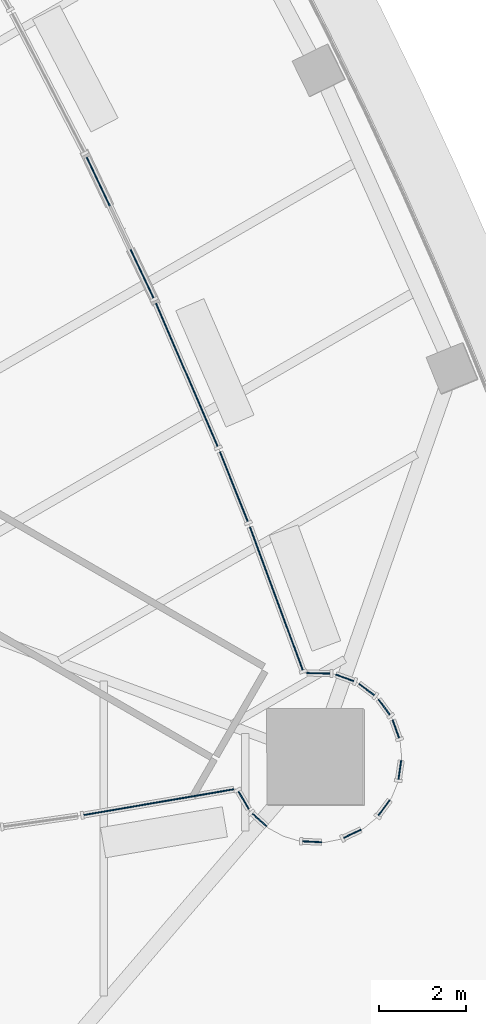
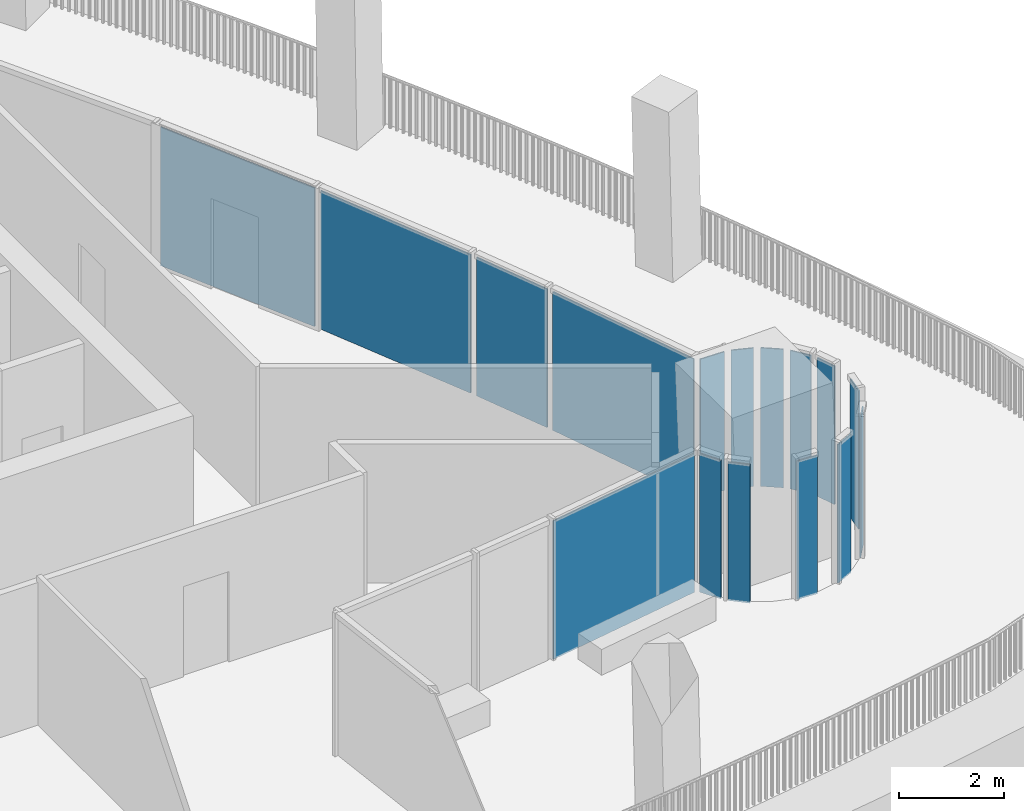
# One storey, part 9 of 20: 16 plates, 16 elements without a shape of their own.
"""IFC4 building model written with IfcOpenShell, lengths in metres."""

from ifc_helpers import new_model, si_unit, direction, frame, origin, origin_2d, place, context, subcontext, project, spatial, rectangle, extrude, material, layer, layer_set, type_object, element, aggregate, save


model = new_model("IFC4")

# Units and contexts
model_context = context("Model", 3, precision=1e-05, world=origin(), true_north=direction((0.0, 1.0)))
body_context = subcontext(model_context, "Body", "Model", "MODEL_VIEW")
ifc_project = project(units=[si_unit("LENGTHUNIT", "METRE"), si_unit("AREAUNIT", "SQUARE_METRE"), si_unit("VOLUMEUNIT", "CUBIC_METRE"), si_unit("PLANEANGLEUNIT", "RADIAN"), si_unit("MASSUNIT", "GRAM", prefix="KILO")], contexts=[model_context])

# Site, building, storey
site_placement = place(None, origin())
site = spatial("IfcSite", under=ifc_project, at=site_placement, CompositionType="ELEMENT")
building_placement = place(site_placement, origin())
building = spatial("IfcBuilding", under=site, at=building_placement, Name="Sierra Prisma Convention Tower", CompositionType="ELEMENT")
storey_placement = place(building_placement, frame((0.0, 0.0, 275.0)))
storey = spatial("IfcBuildingStorey", under=building, at=storey_placement, Name="L62", CompositionType="ELEMENT", Elevation=275.0)

# Curtain wall, plate
ifc_material_1 = material(Name="Aluminium and glass curtain wall", Category="aluminium")
ifc_layer_1 = layer(ifc_material_1, 0.179931640625)
ifc_layer_set_1 = layer_set([ifc_layer_1], Name="CW-6 Terrace recess curtain wall")
curtain_wall_type = type_object("IfcCurtainWallType", Name="CW-6 Terrace recess curtain wall", PredefinedType="NOTDEFINED", material=ifc_layer_set_1)
curtain_wall_1_placement = place(storey_placement, origin())
curtain_wall_1 = element("IfcCurtainWall", 1, at=curtain_wall_1_placement, inside=storey, type_object=curtain_wall_type, Name="CW-6 R3 L62", PredefinedType="NOTDEFINED")
ifc_material_2 = material(Name="Tinted glass bronze-grey IGU", Category="glass")
ifc_layer_2 = layer(ifc_material_2, 0.028076171875)
ifc_layer_set_2 = layer_set([ifc_layer_2], Name="CW-6 glass panel")
plate_type = type_object("IfcPlateType", Name="CW-6 glass panel", PredefinedType="CURTAIN_PANEL", material=ifc_layer_set_2)
plate_1_placement = place(storey_placement, frame((17.461669921875, -13.187744140625, 0.0), z_axis=(0.0, 0.0, 1.0), x_axis=(0.985592101125, 0.169139617475, 0.0)))
plate_1 = element("IfcPlate", 2, at=plate_1_placement, type_object=plate_type, Name="CW-6 panel R3.1", PredefinedType="CURTAIN_PANEL", context=body_context, shape_type="SweptSolid", body=[
    extrude(rectangle(XDim=3.487060546875, YDim=0.028076171875, at=origin_2d()), origin(), (0.0, 0.0, 1.0), 3.219970703125),
])
aggregate(curtain_wall_1, [plate_1])

curtain_wall_2_placement = place(storey_placement, origin())
curtain_wall_2 = element("IfcCurtainWall", 3, at=curtain_wall_2_placement, inside=storey, type_object=curtain_wall_type, Name="CW-6 R4 L62", PredefinedType="NOTDEFINED")
plate_2_placement = place(storey_placement, frame((19.402099609375, -13.14208984375, 0.0), z_axis=(0.0, 0.0, 1.0), x_axis=(0.50517151152, -0.863018970793, 0.0)))
plate_2 = element("IfcPlate", 4, at=plate_2_placement, type_object=plate_type, Name="CW-6 panel R4.1", PredefinedType="CURTAIN_PANEL", context=body_context, shape_type="SweptSolid", body=[
    extrude(rectangle(XDim=0.465576171875, YDim=0.028076171875, at=origin_2d()), origin(), (0.0, 0.0, 1.0), 3.219970703125),
])
aggregate(curtain_wall_2, [plate_2])

curtain_wall_3_placement = place(storey_placement, origin())
curtain_wall_3 = element("IfcCurtainWall", 5, at=curtain_wall_3_placement, inside=storey, type_object=curtain_wall_type, Name="CW-6 R5 L62", PredefinedType="NOTDEFINED")
plate_3_placement = place(storey_placement, frame((19.767578125, -13.59619140625, 0.0), z_axis=(0.0, 0.0, 1.0), x_axis=(0.740951125355, -0.671558954847, 0.0)))
plate_3 = element("IfcPlate", 6, at=plate_3_placement, type_object=plate_type, Name="CW-6 panel R5.1", PredefinedType="CURTAIN_PANEL", context=body_context, shape_type="SweptSolid", body=[
    extrude(rectangle(XDim=0.433837890625, YDim=0.028076171875, at=origin_2d()), origin(), (0.0, 0.0, 1.0), 3.219970703125),
])
aggregate(curtain_wall_3, [plate_3])

curtain_wall_4_placement = place(storey_placement, origin())
curtain_wall_4 = element("IfcCurtainWall", 7, at=curtain_wall_4_placement, inside=storey, type_object=curtain_wall_type, Name="CW-6 R8 L62", PredefinedType="NOTDEFINED")
plate_4_placement = place(storey_placement, frame((20.9716796875, -14.094970703125, 0.0), z_axis=(0.0, 0.0, 1.0), x_axis=(0.998795456205, -0.049067674327, 0.0)))
plate_4 = element("IfcPlate", 8, at=plate_4_placement, type_object=plate_type, Name="CW-6 panel R8.1", PredefinedType="CURTAIN_PANEL", context=body_context, shape_type="SweptSolid", body=[
    extrude(rectangle(XDim=0.433837890625, YDim=0.028076171875, at=origin_2d()), origin(), (0.0, 0.0, 1.0), 3.219970703125),
])
aggregate(curtain_wall_4, [plate_4])

curtain_wall_5_placement = place(storey_placement, origin())
curtain_wall_5 = element("IfcCurtainWall", 9, at=curtain_wall_5_placement, inside=storey, type_object=curtain_wall_type, Name="CW-6 R10 L62", PredefinedType="NOTDEFINED")
plate_5_placement = place(storey_placement, frame((21.893798828125, -13.91162109375, 0.0), z_axis=(0.0, 0.0, 1.0), x_axis=(0.903989293123, 0.42755509343, 0.0)))
plate_5 = element("IfcPlate", 10, at=plate_5_placement, type_object=plate_type, Name="CW-6 panel R10.1", PredefinedType="CURTAIN_PANEL", context=body_context, shape_type="SweptSolid", body=[
    extrude(rectangle(XDim=0.433837890625, YDim=0.028076171875, at=origin_2d()), origin(), (0.0, 0.0, 1.0), 3.219970703125),
])
aggregate(curtain_wall_5, [plate_5])

curtain_wall_6_placement = place(storey_placement, origin())
curtain_wall_6 = element("IfcCurtainWall", 11, at=curtain_wall_6_placement, inside=storey, type_object=curtain_wall_type, Name="CW-6 R12 L62", PredefinedType="NOTDEFINED")
plate_6_placement = place(storey_placement, frame((22.620361328125, -13.315185546875, 0.0), z_axis=(0.0, 0.0, 1.0), x_axis=(0.595699304492, 0.803207531481, 0.0)))
plate_6 = element("IfcPlate", 12, at=plate_6_placement, type_object=plate_type, Name="CW-6 panel R12.1", PredefinedType="CURTAIN_PANEL", context=body_context, shape_type="SweptSolid", body=[
    extrude(rectangle(XDim=0.433837890625, YDim=0.028076171875, at=origin_2d()), origin(), (0.0, 0.0, 1.0), 3.219970703125),
])
aggregate(curtain_wall_6, [plate_6])

curtain_wall_7_placement = place(storey_placement, origin())
curtain_wall_7 = element("IfcCurtainWall", 13, at=curtain_wall_7_placement, inside=storey, type_object=curtain_wall_type, Name="CW-6 R14 L62", PredefinedType="NOTDEFINED")
plate_7_placement = place(storey_placement, frame((22.980224609375, -12.44677734375, 0.0), z_axis=(0.0, 0.0, 1.0), x_axis=(0.146730474455, 0.989176509965, 0.0)))
plate_7 = element("IfcPlate", 14, at=plate_7_placement, type_object=plate_type, Name="CW-6 panel R14.1", PredefinedType="CURTAIN_PANEL", context=body_context, shape_type="SweptSolid", body=[
    extrude(rectangle(XDim=0.433837890625, YDim=0.028076171875, at=origin_2d()), origin(), (0.0, 0.0, 1.0), 3.219970703125),
])
aggregate(curtain_wall_7, [plate_7])

curtain_wall_8_placement = place(storey_placement, origin())
curtain_wall_8 = element("IfcCurtainWall", 15, at=curtain_wall_8_placement, inside=storey, type_object=curtain_wall_type, Name="CW-6 R16 L62", PredefinedType="NOTDEFINED")
plate_8_placement = place(storey_placement, frame((22.887939453125, -11.51123046875, 0.0), z_axis=(0.0, 0.0, 1.0), x_axis=(-0.336889853392, 0.941544065183, 0.0)))
plate_8 = element("IfcPlate", 16, at=plate_8_placement, type_object=plate_type, Name="CW-6 panel R16.1", PredefinedType="CURTAIN_PANEL", context=body_context, shape_type="SweptSolid", body=[
    extrude(rectangle(XDim=0.433837890625, YDim=0.028076171875, at=origin_2d()), origin(), (0.0, 0.0, 1.0), 3.219970703125),
])
aggregate(curtain_wall_8, [plate_8])

curtain_wall_9_placement = place(storey_placement, origin())
curtain_wall_9 = element("IfcCurtainWall", 17, at=curtain_wall_9_placement, inside=storey, type_object=curtain_wall_type, Name="CW-6 R17 L62", PredefinedType="NOTDEFINED")
plate_9_placement = place(storey_placement, frame((22.620361328125, -11.010498046875, 0.0), z_axis=(0.0, 0.0, 1.0), x_axis=(-0.595699304492, 0.803207531481, 0.0)))
plate_9 = element("IfcPlate", 18, at=plate_9_placement, type_object=plate_type, Name="CW-6 panel R17.1", PredefinedType="CURTAIN_PANEL", context=body_context, shape_type="SweptSolid", body=[
    extrude(rectangle(XDim=0.433837890625, YDim=0.028076171875, at=origin_2d()), origin(), (0.0, 0.0, 1.0), 3.219970703125),
])
aggregate(curtain_wall_9, [plate_9])

curtain_wall_10_placement = place(storey_placement, origin())
curtain_wall_10 = element("IfcCurtainWall", 19, at=curtain_wall_10_placement, inside=storey, type_object=curtain_wall_type, Name="CW-6 R18 L62", PredefinedType="NOTDEFINED")
plate_10_placement = place(storey_placement, frame((22.218994140625, -10.609130859375, 0.0), z_axis=(0.0, 0.0, 1.0), x_axis=(-0.803207531481, 0.595699304492, 0.0)))
plate_10 = element("IfcPlate", 20, at=plate_10_placement, type_object=plate_type, Name="CW-6 panel R18.1", PredefinedType="CURTAIN_PANEL", context=body_context, shape_type="SweptSolid", body=[
    extrude(rectangle(XDim=0.433837890625, YDim=0.028076171875, at=origin_2d()), origin(), (0.0, 0.0, 1.0), 3.219970703125),
])
aggregate(curtain_wall_10, [plate_10])

curtain_wall_11_placement = place(storey_placement, origin())
curtain_wall_11 = element("IfcCurtainWall", 21, at=curtain_wall_11_placement, inside=storey, type_object=curtain_wall_type, Name="CW-6 R19 L62", PredefinedType="NOTDEFINED")
plate_11_placement = place(storey_placement, frame((21.71826171875, -10.341552734375, 0.0), z_axis=(0.0, 0.0, 1.0), x_axis=(-0.941544065183, 0.336889853392, 0.0)))
plate_11 = element("IfcPlate", 22, at=plate_11_placement, type_object=plate_type, Name="CW-6 panel R19.1", PredefinedType="CURTAIN_PANEL", context=body_context, shape_type="SweptSolid", body=[
    extrude(rectangle(XDim=0.433837890625, YDim=0.028076171875, at=origin_2d()), origin(), (0.0, 0.0, 1.0), 3.219970703125),
])
aggregate(curtain_wall_11, [plate_11])

curtain_wall_12_placement = place(storey_placement, origin())
curtain_wall_12 = element("IfcCurtainWall", 23, at=curtain_wall_12_placement, inside=storey, type_object=curtain_wall_type, Name="CW-6 R20 L62", PredefinedType="NOTDEFINED")
plate_12_placement = place(storey_placement, frame((21.114013671875, -10.23779296875, 0.0), z_axis=(0.0, 0.0, 1.0), x_axis=(-0.999778005046, 0.021069898592, 0.0)))
plate_12 = element("IfcPlate", 24, at=plate_12_placement, type_object=plate_type, Name="CW-6 panel R20.1", PredefinedType="CURTAIN_PANEL", context=body_context, shape_type="SweptSolid", body=[
    extrude(rectangle(XDim=0.5283203125, YDim=0.028076171875, at=origin_2d()), origin(), (0.0, 0.0, 1.0), 3.219970703125),
])
aggregate(curtain_wall_12, [plate_12])

curtain_wall_13_placement = place(storey_placement, origin())
curtain_wall_13 = element("IfcCurtainWall", 25, at=curtain_wall_13_placement, inside=storey, type_object=curtain_wall_type, Name="CW-6 R21 L62", PredefinedType="NOTDEFINED")
plate_13_placement = place(storey_placement, frame((20.15185546875, -8.52880859375, 0.0), z_axis=(0.0, 0.0, 1.0), x_axis=(-0.346314339428, 0.938118531054, 0.0)))
plate_13 = element("IfcPlate", 26, at=plate_13_placement, type_object=plate_type, Name="CW-6 panel R21.1", PredefinedType="CURTAIN_PANEL", context=body_context, shape_type="SweptSolid", body=[
    extrude(rectangle(XDim=3.48828125, YDim=0.028076171875, at=origin_2d()), origin(), (0.0, 0.0, 1.0), 3.219970703125),
])
aggregate(curtain_wall_13, [plate_13])

curtain_wall_14_placement = place(storey_placement, origin())
curtain_wall_14 = element("IfcCurtainWall", 27, at=curtain_wall_14_placement, inside=storey, type_object=curtain_wall_type, Name="CW-6 R22 L62", PredefinedType="NOTDEFINED")
plate_14_placement = place(storey_placement, frame((19.179931640625, -5.967529296875, 0.0), z_axis=(0.0, 0.0, 1.0), x_axis=(-0.371218944642, 0.928545365148, 0.0)))
plate_14 = element("IfcPlate", 28, at=plate_14_placement, type_object=plate_type, Name="CW-6 panel R22.1", PredefinedType="CURTAIN_PANEL", context=body_context, shape_type="SweptSolid", body=[
    extrude(rectangle(XDim=1.711181640625, YDim=0.028076171875, at=origin_2d()), origin(), (0.0, 0.0, 1.0), 3.219970703125),
])
aggregate(curtain_wall_14, [plate_14])

curtain_wall_15_placement = place(storey_placement, origin())
curtain_wall_15 = element("IfcCurtainWall", 29, at=curtain_wall_15_placement, inside=storey, type_object=curtain_wall_type, Name="CW-6 R23 L62", PredefinedType="NOTDEFINED")
plate_15_placement = place(storey_placement, frame((18.103271484375, -3.408447265625, 0.0), z_axis=(0.0, 0.0, 1.0), x_axis=(-0.396026907972, 0.91823890582, 0.0)))
plate_15 = element("IfcPlate", 30, at=plate_15_placement, type_object=plate_type, Name="CW-6 panel R23.1", PredefinedType="CURTAIN_PANEL", context=body_context, shape_type="SweptSolid", body=[
    extrude(rectangle(XDim=3.56201171875, YDim=0.028076171875, at=origin_2d()), origin(), (0.0, 0.0, 1.0), 3.219970703125),
])
aggregate(curtain_wall_15, [plate_15])

curtain_wall_16_placement = place(storey_placement, origin())
curtain_wall_16 = element("IfcCurtainWall", 31, at=curtain_wall_16_placement, inside=storey, type_object=curtain_wall_type, Name="CW-6 R24 L62", PredefinedType="NOTDEFINED")
plate_16_placement = place(storey_placement, frame((16.57666015625, -0.036376953125, 0.0), z_axis=(0.0, 0.0, 1.0), x_axis=(-0.428656555933, 0.90346751854, 0.0)))
plate_16 = element("IfcPlate", 32, at=plate_16_placement, type_object=plate_type, Name="CW-6 panel R24.1", PredefinedType="CURTAIN_PANEL", context=body_context, shape_type="SweptSolid", body=[
    extrude(rectangle(XDim=3.56201171875, YDim=0.028076171875, at=origin_2d()), origin(), (0.0, 0.0, 1.0), 3.219970703125),
])
aggregate(curtain_wall_16, [plate_16])

save(model, "model.ifc")
